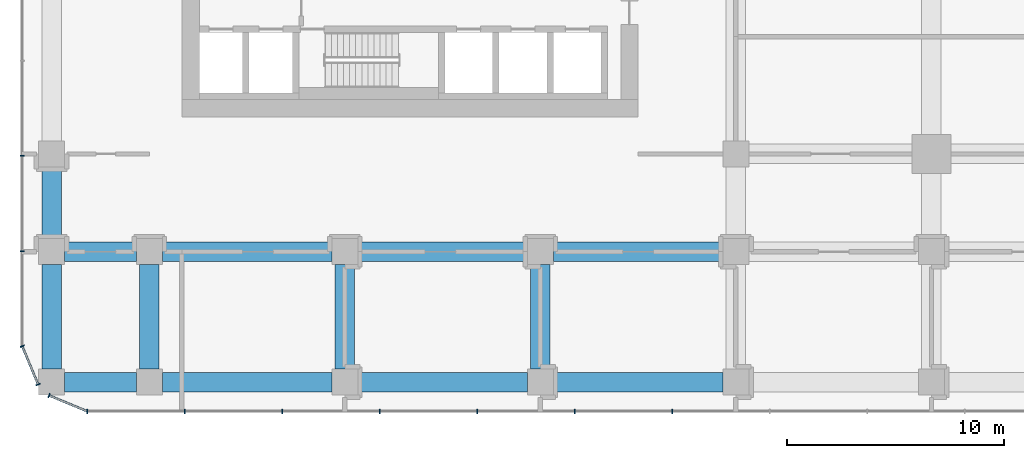
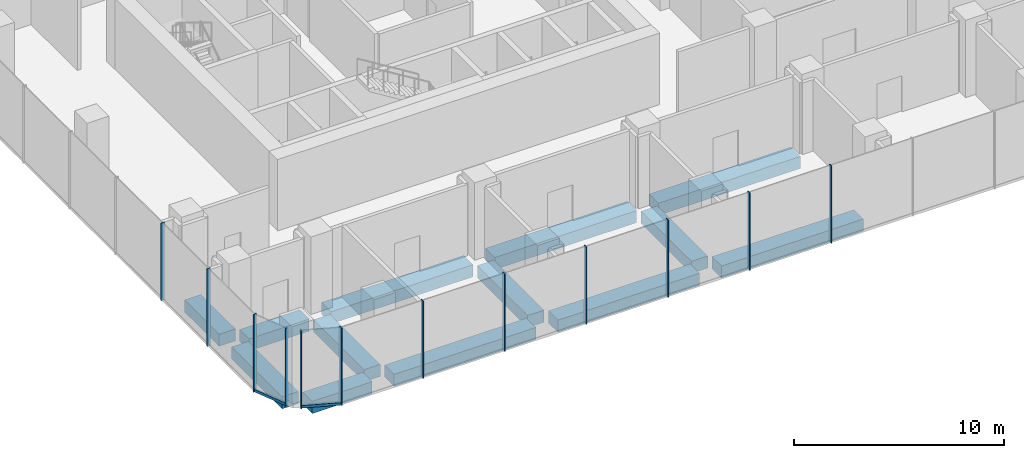
# One storey, part 2 of 43: 14 members, 13 beams, 4 elements without a shape of their own.
"""IFC4 building model written with IfcOpenShell, lengths in metres."""

from ifc_helpers import new_model, si_unit, direction, frame, origin, origin_2d, place, context, subcontext, project, spatial, rectangle, extrude, material, layer, layer_set, material_profile, profile_set, type_object, element, aggregate, save


model = new_model("IFC4")

# Units and contexts
model_context = context("Model", 3, precision=1e-05, world=origin(), true_north=direction((0.0, 1.0)))
body_context = subcontext(model_context, "Body", "Model", "MODEL_VIEW")
ifc_project = project(units=[si_unit("LENGTHUNIT", "METRE"), si_unit("AREAUNIT", "SQUARE_METRE"), si_unit("VOLUMEUNIT", "CUBIC_METRE"), si_unit("PLANEANGLEUNIT", "RADIAN"), si_unit("MASSUNIT", "GRAM", prefix="KILO")], contexts=[model_context])

# Site, building, storey
site_placement = place(None, origin())
site = spatial("IfcSite", under=ifc_project, at=site_placement, CompositionType="ELEMENT")
building_placement = place(site_placement, origin())
building = spatial("IfcBuilding", under=site, at=building_placement, Name="Plateau Cross Towers", CompositionType="ELEMENT")
storey_placement = place(building_placement, frame((0.0, 0.0, 17.300048828125)))
storey = spatial("IfcBuildingStorey", under=building, at=storey_placement, Name="L03", CompositionType="ELEMENT", Elevation=17.300048828125)

# Curtain wall, members
ifc_material_1 = material(Name="Dark low-iron laminated glass", Category="glass")
ifc_layer = layer(ifc_material_1, 0.300048828125)
ifc_layer_set = layer_set([ifc_layer], Name="Dark low-iron laminated glass")
curtain_wall_type = type_object("IfcCurtainWallType", Name="Curtain wall structural silicone CW-C", PredefinedType="NOTDEFINED", material=ifc_layer_set)
curtain_wall_1_placement = place(storey_placement, origin())
curtain_wall_1 = element("IfcCurtainWall", 1, at=curtain_wall_1_placement, inside=storey, type_object=curtain_wall_type, Name="ENV/P/L03/P-28_-118", PredefinedType="NOTDEFINED")
ifc_material_2 = material(Name="Black anodised aluminium", Category="aluminium")
ifc_material_profile_1 = material_profile(ifc_material_2, rectangle(XDim=0.050048828125, YDim=0.199951171875, at=origin_2d()), Name="MULLION 50x200")
ifc_profile_set_1 = profile_set([ifc_material_profile_1], Name="Black anodised aluminium")
member_type_1 = type_object("IfcMemberType", Name="Mullion 50x200 structural silicone", PredefinedType="MULLION", material=ifc_profile_set_1)
member_1_placement = place(storey_placement, frame((-2.85009765625, -11.85009765625, -0.35009765625), z_axis=(0.0, 0.0, 1.0), x_axis=(1.0, 0.0, 0.0)))
member_1 = element("IfcMember", 2, at=member_1_placement, type_object=member_type_1, Name="CW-C mullion 1", PredefinedType="MULLION", context=body_context, shape_type="SweptSolid", body=[
    extrude(rectangle(XDim=0.050048828125, YDim=0.199951171875, at=origin_2d()), origin(), (0.0, 0.0, 1.0), 4.5),
])
member_2_placement = place(storey_placement, frame((1.637451171875, -11.85009765625, -0.35009765625), z_axis=(0.0, 0.0, 1.0), x_axis=(1.0, 0.0, 0.0)))
member_2 = element("IfcMember", 3, at=member_2_placement, type_object=member_type_1, Name="CW-C mullion 2", PredefinedType="MULLION", context=body_context, shape_type="SweptSolid", body=[
    extrude(rectangle(XDim=0.050048828125, YDim=0.199951171875, at=origin_2d()), origin(), (0.0, 0.0, 1.0), 4.5),
])
member_3_placement = place(storey_placement, frame((6.125, -11.85009765625, -0.35009765625), z_axis=(0.0, 0.0, 1.0), x_axis=(1.0, 0.0, 0.0)))
member_3 = element("IfcMember", 4, at=member_3_placement, type_object=member_type_1, Name="CW-C mullion 3", PredefinedType="MULLION", context=body_context, shape_type="SweptSolid", body=[
    extrude(rectangle(XDim=0.050048828125, YDim=0.199951171875, at=origin_2d()), origin(), (0.0, 0.0, 1.0), 4.5),
])
member_4_placement = place(storey_placement, frame((10.612548828125, -11.85009765625, -0.35009765625), z_axis=(0.0, 0.0, 1.0), x_axis=(1.0, 0.0, 0.0)))
member_4 = element("IfcMember", 5, at=member_4_placement, type_object=member_type_1, Name="CW-C mullion 4", PredefinedType="MULLION", context=body_context, shape_type="SweptSolid", body=[
    extrude(rectangle(XDim=0.050048828125, YDim=0.199951171875, at=origin_2d()), origin(), (0.0, 0.0, 1.0), 4.5),
])
member_5_placement = place(storey_placement, frame((15.10009765625, -11.85009765625, -0.35009765625), z_axis=(0.0, 0.0, 1.0), x_axis=(1.0, 0.0, 0.0)))
member_5 = element("IfcMember", 6, at=member_5_placement, type_object=member_type_1, Name="CW-C mullion 5", PredefinedType="MULLION", context=body_context, shape_type="SweptSolid", body=[
    extrude(rectangle(XDim=0.050048828125, YDim=0.199951171875, at=origin_2d()), origin(), (0.0, 0.0, 1.0), 4.5),
])
member_6_placement = place(storey_placement, frame((19.58740234375, -11.85009765625, -0.35009765625), z_axis=(0.0, 0.0, 1.0), x_axis=(1.0, 0.0, 0.0)))
member_6 = element("IfcMember", 7, at=member_6_placement, type_object=member_type_1, Name="CW-C mullion 6", PredefinedType="MULLION", context=body_context, shape_type="SweptSolid", body=[
    extrude(rectangle(XDim=0.050048828125, YDim=0.199951171875, at=origin_2d()), origin(), (0.0, 0.0, 1.0), 4.5),
])
member_7_placement = place(storey_placement, frame((24.074951171875, -11.85009765625, -0.35009765625), z_axis=(0.0, 0.0, 1.0), x_axis=(1.0, 0.0, 0.0)))
member_7 = element("IfcMember", 8, at=member_7_placement, type_object=member_type_1, Name="CW-C mullion 7", PredefinedType="MULLION", context=body_context, shape_type="SweptSolid", body=[
    extrude(rectangle(XDim=0.050048828125, YDim=0.199951171875, at=origin_2d()), origin(), (0.0, 0.0, 1.0), 4.5),
])
aggregate(curtain_wall_1, [member_1, member_2, member_3, member_4, member_5, member_6, member_7])

curtain_wall_2_placement = place(storey_placement, origin())
curtain_wall_2 = element("IfcCurtainWall", 9, at=curtain_wall_2_placement, inside=storey, type_object=curtain_wall_type, Name="ENV/P/L03/P-58_568", PredefinedType="NOTDEFINED")
member_8_placement = place(storey_placement, frame((-5.85009765625, -0.090087890625, -0.35009765625), z_axis=(0.0, 0.0, 1.0), x_axis=(0.0, -1.0, 0.0)))
member_8 = element("IfcMember", 10, at=member_8_placement, type_object=member_type_1, Name="CW-C mullion 14", PredefinedType="MULLION", context=body_context, shape_type="SweptSolid", body=[
    extrude(rectangle(XDim=0.050048828125, YDim=0.199951171875, at=origin_2d()), origin(), (0.0, 0.0, 1.0), 4.5),
])
member_9_placement = place(storey_placement, frame((-5.85009765625, -4.469970703125, -0.35009765625), z_axis=(0.0, 0.0, 1.0), x_axis=(0.0, -1.0, 0.0)))
member_9 = element("IfcMember", 11, at=member_9_placement, type_object=member_type_1, Name="CW-C mullion 15", PredefinedType="MULLION", context=body_context, shape_type="SweptSolid", body=[
    extrude(rectangle(XDim=0.050048828125, YDim=0.199951171875, at=origin_2d()), origin(), (0.0, 0.0, 1.0), 4.5),
])
aggregate(curtain_wall_2, [member_8, member_9])

curtain_wall_3_placement = place(storey_placement, origin())
curtain_wall_3 = element("IfcCurtainWall", 12, at=curtain_wall_3_placement, inside=storey, type_object=curtain_wall_type, Name="ENV/P/L03/P-58_-88", PredefinedType="NOTDEFINED")
member_10_placement = place(storey_placement, frame((-5.85009765625, -8.85009765625, -0.35009765625), z_axis=(0.0, 0.0, 1.0), x_axis=(0.382683612978, -0.923879457699, 0.0)))
member_10 = element("IfcMember", 13, at=member_10_placement, type_object=member_type_1, Name="CW-C mullion 1", PredefinedType="MULLION", context=body_context, shape_type="SweptSolid", body=[
    extrude(rectangle(XDim=0.050048828125, YDim=0.199951171875, at=origin_2d()), origin(), (0.0, 0.0, 1.0), 4.5),
])
member_11_placement = place(storey_placement, frame((-5.1201171875, -10.6123046875, -0.35009765625), z_axis=(0.0, 0.0, 1.0), x_axis=(0.382683612978, -0.923879457699, 0.0)))
member_11 = element("IfcMember", 14, at=member_11_placement, type_object=member_type_1, Name="CW-C mullion 2", PredefinedType="MULLION", context=body_context, shape_type="SweptSolid", body=[
    extrude(rectangle(XDim=0.050048828125, YDim=0.199951171875, at=origin_2d()), origin(), (0.0, 0.0, 1.0), 4.5),
])

# Curtain wall, member
curtain_wall_4_placement = place(storey_placement, origin())
curtain_wall_4 = element("IfcCurtainWall", 15, at=curtain_wall_4_placement, inside=storey, type_object=curtain_wall_type, Name="ENV/P/L03/P-46_-111", PredefinedType="NOTDEFINED")
member_12_placement = place(storey_placement, frame((-4.6123046875, -11.1201171875, -0.35009765625), z_axis=(0.0, 0.0, 1.0), x_axis=(0.923879457699, -0.382683612978, 0.0)))
member_12 = element("IfcMember", 16, at=member_12_placement, type_object=member_type_1, Name="CW-C mullion 1", PredefinedType="MULLION", context=body_context, shape_type="SweptSolid", body=[
    extrude(rectangle(XDim=0.050048828125, YDim=0.199951171875, at=origin_2d()), origin(), (0.0, 0.0, 1.0), 4.5),
])

# Beams
ifc_material_3 = material(Name="Concrete C50/60", Category="concrete")
ifc_material_profile_2 = material_profile(ifc_material_3, rectangle(XDim=0.89990234375, YDim=0.699951171875, at=origin_2d()), Name="RC 900x700")
ifc_profile_set_2 = profile_set([ifc_material_profile_2], Name="Concrete C50/60")
beam_type = type_object("IfcBeamType", Name="Podium band beam RC 900x700", PredefinedType="BEAM", material=ifc_profile_set_2)
beam_1_placement = place(storey_placement, frame((-3.89990234375, -10.5, -0.699951171875), z_axis=(1.0, 0.0, 0.0), x_axis=(0.0, 1.0, 0.0)))
element("IfcBeam", 17, at=beam_1_placement, inside=storey, type_object=beam_type, Name="PB01@L03", PredefinedType="BEAM", context=body_context, shape_type="SweptSolid", body=[
    extrude(rectangle(XDim=0.89990234375, YDim=0.699951171875, at=origin_2d()), origin(), (0.0, 0.0, 1.0), 3.2998046875),
])
for number, where, z_axis, x_axis, name in (
    (18, (0.60009765625, -10.5, -0.699951171875), (1.0, 0.0, 0.0), (0.0, 1.0, 0.0), "PB02@L03"),
    (19, (9.60009765625, -10.5, -0.699951171875), (1.0, 0.0, 0.0), (0.0, 1.0, 0.0), "PB03@L03"),
    (20, (18.60009765625, -10.5, -0.699951171875), (1.0, 0.0, 0.0), (0.0, 1.0, 0.0), "PB04@L03"),
):
    element("IfcBeam", number, at=place(storey_placement, frame(where, z_axis=z_axis, x_axis=x_axis)), inside=storey, type_object=beam_type, Name=name, PredefinedType="BEAM", context=body_context, shape_type="SweptSolid", body=[
        extrude(rectangle(XDim=0.89990234375, YDim=0.699951171875, at=origin_2d()), origin(), (0.0, 0.0, 1.0), 7.7998046875),
    ])
beam_2_placement = place(storey_placement, frame((-3.89990234375, -4.5, -0.699951171875), z_axis=(1.0, 0.0, 0.0), x_axis=(0.0, 1.0, 0.0)))
element("IfcBeam", 21, at=beam_2_placement, inside=storey, type_object=beam_type, Name="PB14@L03", PredefinedType="BEAM", context=body_context, shape_type="SweptSolid", body=[
    extrude(rectangle(XDim=0.89990234375, YDim=0.699951171875, at=origin_2d()), origin(), (0.0, 0.0, 1.0), 3.2998046875),
])
for number, where, z_axis, x_axis, name in (
    (22, (0.60009765625, -4.5, -0.699951171875), (1.0, 0.0, 0.0), (0.0, 1.0, 0.0), "PB15@L03"),
    (23, (9.60009765625, -4.5, -0.699951171875), (1.0, 0.0, 0.0), (0.0, 1.0, 0.0), "PB16@L03"),
    (24, (18.60009765625, -4.5, -0.699951171875), (1.0, 0.0, 0.0), (0.0, 1.0, 0.0), "PB17@L03"),
):
    element("IfcBeam", number, at=place(storey_placement, frame(where, z_axis=z_axis, x_axis=x_axis)), inside=storey, type_object=beam_type, Name=name, PredefinedType="BEAM", context=body_context, shape_type="SweptSolid", body=[
        extrude(rectangle(XDim=0.89990234375, YDim=0.699951171875, at=origin_2d()), origin(), (0.0, 0.0, 1.0), 7.7998046875),
    ])
beam_3_placement = place(storey_placement, frame((-4.5, -9.89990234375, -0.699951171875), z_axis=(0.0, 1.0, 0.0), x_axis=(-1.0, 0.0, 0.0)))
element("IfcBeam", 25, at=beam_3_placement, inside=storey, type_object=beam_type, Name="PB93@L03", PredefinedType="BEAM", context=body_context, shape_type="SweptSolid", body=[
    extrude(rectangle(XDim=0.89990234375, YDim=0.699951171875, at=origin_2d()), origin(), (0.0, 0.0, 1.0), 4.7998046875),
])
beam_4_placement = place(storey_placement, frame((-4.5, -3.89990234375, -0.699951171875), z_axis=(0.0, 1.0, 0.0), x_axis=(-1.0, 0.0, 0.0)))
element("IfcBeam", 26, at=beam_4_placement, inside=storey, type_object=beam_type, Name="PB94@L03", PredefinedType="BEAM", context=body_context, shape_type="SweptSolid", body=[
    extrude(rectangle(XDim=0.89990234375, YDim=0.699951171875, at=origin_2d()), origin(), (0.0, 0.0, 1.0), 3.2998046875),
])
for number, where, z_axis, x_axis, name in (
    (27, (0.0, -9.89990234375, -0.699951171875), (0.0, 1.0, 0.0), (-1.0, 0.0, 0.0), "PB101@L03"),
    (28, (9.0, -9.89990234375, -0.699951171875), (0.0, 1.0, 0.0), (-1.0, 0.0, 0.0), "PB106@L03"),
    (29, (18.0, -9.89990234375, -0.699951171875), (0.0, 1.0, 0.0), (-1.0, 0.0, 0.0), "PB109@L03"),
):
    element("IfcBeam", number, at=place(storey_placement, frame(where, z_axis=z_axis, x_axis=x_axis)), inside=storey, type_object=beam_type, Name=name, PredefinedType="BEAM", context=body_context, shape_type="SweptSolid", body=[
        extrude(rectangle(XDim=0.89990234375, YDim=0.699951171875, at=origin_2d()), origin(), (0.0, 0.0, 1.0), 4.7998046875),
    ])

# Member
ifc_material_profile_3 = material_profile(ifc_material_2, rectangle(XDim=0.10009765625, YDim=0.14990234375, at=origin_2d()), Name="TRANSOM 100x150")
ifc_profile_set_3 = profile_set([ifc_material_profile_3], Name="Black anodised aluminium")
member_type_2 = type_object("IfcMemberType", Name="Transom 100x150 structural silicone", PredefinedType="USERDEFINED", material=ifc_profile_set_3)
member_13_placement = place(storey_placement, frame((-5.85009765625, -8.85009765625, -0.275146484375), z_axis=(0.38270599329, -0.923870187147, 0.0), x_axis=(0.923870187147, 0.38270599329, 0.0)))
member_13 = element("IfcMember", 30, at=member_13_placement, type_object=member_type_2, Name="CW-C transom", ObjectType="TRANSOM", PredefinedType="USERDEFINED", context=body_context, shape_type="SweptSolid", body=[
    extrude(rectangle(XDim=0.10009765625, YDim=0.14990234375, at=origin_2d()), origin(), (0.0, 0.0, 1.0), 1.907470703125),
])

aggregate(curtain_wall_3, [member_10, member_11, member_13])

member_14_placement = place(storey_placement, frame((-4.6123046875, -11.1201171875, -0.275146484375), z_axis=(0.923870187147, -0.38270599329, 0.0), x_axis=(0.38270599329, 0.923870187147, 0.0)))
member_14 = element("IfcMember", 31, at=member_14_placement, type_object=member_type_2, Name="CW-C transom", ObjectType="TRANSOM", PredefinedType="USERDEFINED", context=body_context, shape_type="SweptSolid", body=[
    extrude(rectangle(XDim=0.10009765625, YDim=0.14990234375, at=origin_2d()), origin(), (0.0, 0.0, 1.0), 1.907470703125),
])

aggregate(curtain_wall_4, [member_12, member_14])

save(model, "model.ifc")
